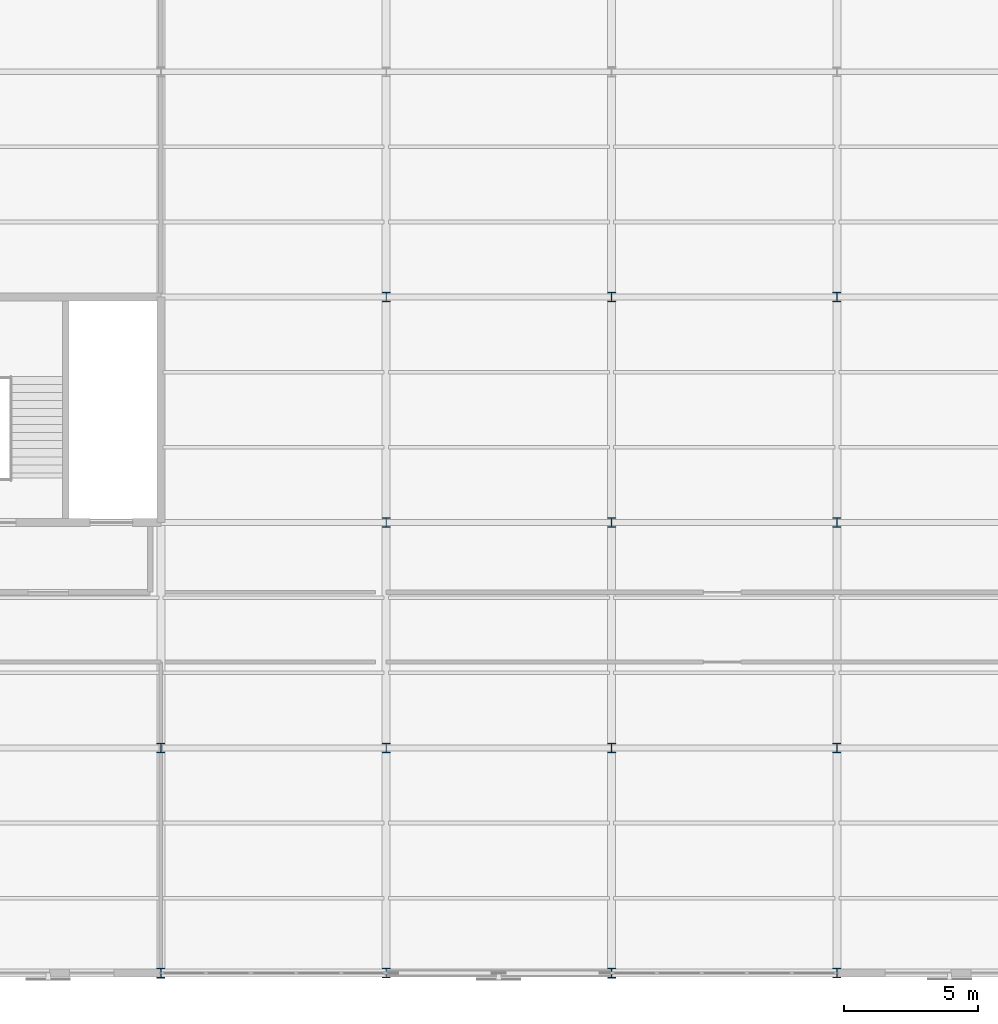
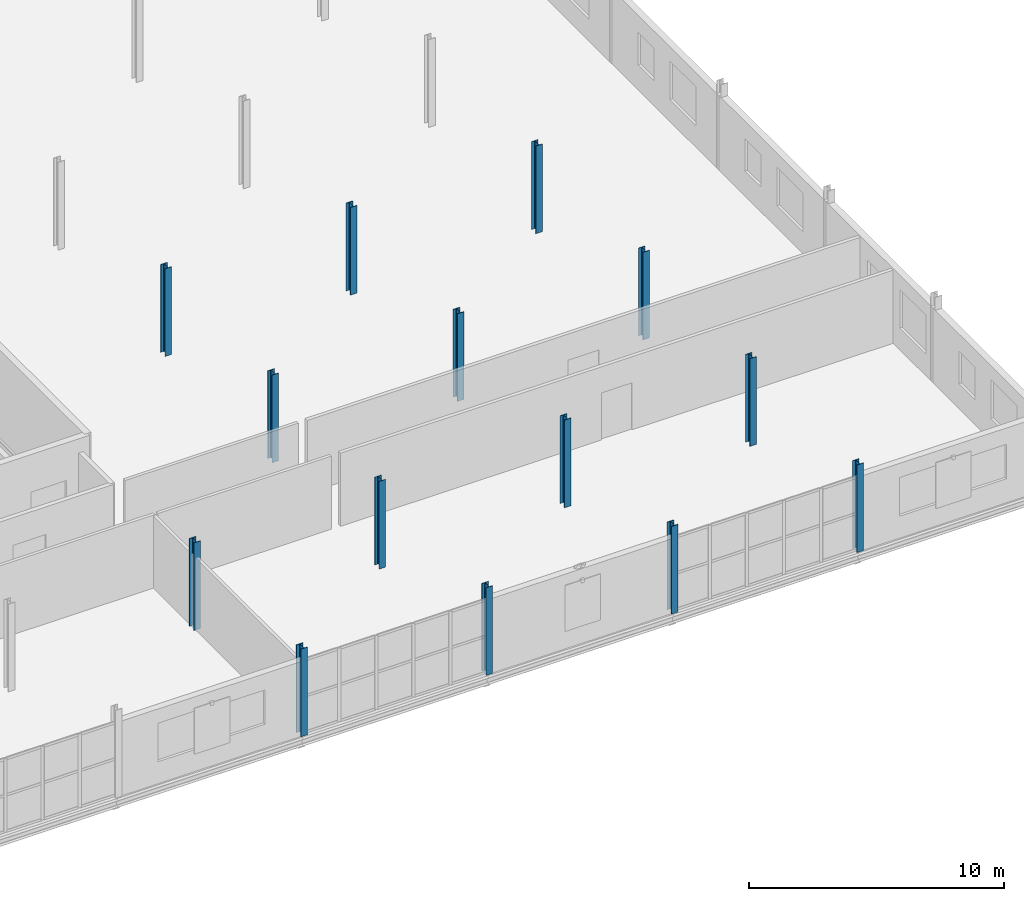
# One storey, part 17 of 163: 14 columns.
"""IFC4 building model written with IfcOpenShell, lengths in metres."""

from ifc_helpers import new_model, si_unit, direction, frame, origin, origin_2d, place, context, subcontext, project, spatial, i_section, extrude, material, material_profile, profile_set, type_object, element, save


model = new_model("IFC4")

# Units and contexts
model_context = context("Model", 3, precision=1e-05, world=origin(), true_north=direction((0.0, 1.0)))
body_context = subcontext(model_context, "Body", "Model", "MODEL_VIEW")
ifc_project = project(units=[si_unit("LENGTHUNIT", "METRE"), si_unit("AREAUNIT", "SQUARE_METRE"), si_unit("VOLUMEUNIT", "CUBIC_METRE"), si_unit("PLANEANGLEUNIT", "RADIAN"), si_unit("MASSUNIT", "GRAM", prefix="KILO")], contexts=[model_context])

# Site, building, storey
site_placement = place(None, origin())
site = spatial("IfcSite", under=ifc_project, at=site_placement, CompositionType="ELEMENT")
building_placement = place(site_placement, origin())
building = spatial("IfcBuilding", under=site, at=building_placement, Name="Qalvenar Corner Mobility Hub", CompositionType="ELEMENT")
storey_placement = place(building_placement, frame((0.0, 0.0, 4.800048828125)))
storey = spatial("IfcBuildingStorey", under=building, at=storey_placement, Name="L01", CompositionType="ELEMENT", Elevation=4.800048828125)

# Columns
ifc_material = material(Name="Steel S355", Category="steel")
ifc_material_profile_1 = material_profile(ifc_material, i_section(OverallWidth=0.300048828125, OverallDepth=0.35009765625, WebThickness=0.010009765625, FlangeThickness=0.017578125, FilletRadius=0.027099609375, at=origin_2d()), Name="HEA360")
ifc_profile_set_1 = profile_set([ifc_material_profile_1], Name="Steel S355")
column_type_1 = type_object("IfcColumnType", Name="COL-HEA360", PredefinedType="COLUMN", material=ifc_profile_set_1)
for number, where, z_axis, x_axis, name in (
    (1, (142.800048828125, 0.0, 0.0), (0.0, 0.0, 1.0), (1.0, 0.0, 0.0), "Steel Column L01-G18-0"),
    (2, (142.800048828125, 8.39990234375, 0.0), (0.0, 0.0, 1.0), (1.0, 0.0, 0.0), "Steel Column L01-G18-1"),
    (3, (142.800048828125, 16.800048828125, 0.0), (0.0, 0.0, 1.0), (1.0, 0.0, 0.0), "Steel Column L01-G18-2"),
    (4, (142.800048828125, 25.199951171875, 0.0), (0.0, 0.0, 1.0), (1.0, 0.0, 0.0), "Steel Column L01-G18-3"),
    (5, (159.60009765625, 0.0, 0.0), (0.0, 0.0, 1.0), (1.0, 0.0, 0.0), "Steel Column L01-G20-0"),
    (6, (159.60009765625, 8.39990234375, 0.0), (0.0, 0.0, 1.0), (1.0, 0.0, 0.0), "Steel Column L01-G20-1"),
    (7, (159.60009765625, 16.800048828125, 0.0), (0.0, 0.0, 1.0), (1.0, 0.0, 0.0), "Steel Column L01-G20-2"),
    (8, (159.60009765625, 25.199951171875, 0.0), (0.0, 0.0, 1.0), (1.0, 0.0, 0.0), "Steel Column L01-G20-3"),
):
    element("IfcColumn", number, at=place(storey_placement, frame(where, z_axis=z_axis, x_axis=x_axis)), inside=storey, type_object=column_type_1, Name=name, PredefinedType="COLUMN", context=body_context, shape_type="SweptSolid", body=[
        extrude(i_section(OverallWidth=0.300048828125, OverallDepth=0.35009765625, WebThickness=0.010009765625, FlangeThickness=0.017578125, FilletRadius=0.027099609375, at=origin_2d()), origin(), (0.0, 0.0, 1.0), 4.199951171875),
    ])
ifc_material_profile_2 = material_profile(ifc_material, i_section(OverallWidth=0.300048828125, OverallDepth=0.360107421875, WebThickness=0.012451171875, FlangeThickness=0.0224609375, FilletRadius=0.027099609375, at=origin_2d()), Name="HEB360")
ifc_profile_set_2 = profile_set([ifc_material_profile_2], Name="Steel S355")
column_type_2 = type_object("IfcColumnType", Name="COL-HEB360", PredefinedType="COLUMN", material=ifc_profile_set_2)
for number, where, z_axis, x_axis, name in (
    (9, (134.39990234375, 0.0, 0.0), (0.0, 0.0, 1.0), (1.0, 0.0, 0.0), "Steel Column L01-G17-0"),
    (10, (134.39990234375, 8.39990234375, 0.0), (0.0, 0.0, 1.0), (1.0, 0.0, 0.0), "Steel Column L01-G17-1"),
    (11, (151.199951171875, 0.0, 0.0), (0.0, 0.0, 1.0), (1.0, 0.0, 0.0), "Steel Column L01-G19-0"),
    (12, (151.199951171875, 8.39990234375, 0.0), (0.0, 0.0, 1.0), (1.0, 0.0, 0.0), "Steel Column L01-G19-1"),
    (13, (151.199951171875, 16.800048828125, 0.0), (0.0, 0.0, 1.0), (1.0, 0.0, 0.0), "Steel Column L01-G19-2"),
    (14, (151.199951171875, 25.199951171875, 0.0), (0.0, 0.0, 1.0), (1.0, 0.0, 0.0), "Steel Column L01-G19-3"),
):
    element("IfcColumn", number, at=place(storey_placement, frame(where, z_axis=z_axis, x_axis=x_axis)), inside=storey, type_object=column_type_2, Name=name, PredefinedType="COLUMN", context=body_context, shape_type="SweptSolid", body=[
        extrude(i_section(OverallWidth=0.300048828125, OverallDepth=0.360107421875, WebThickness=0.012451171875, FlangeThickness=0.0224609375, FilletRadius=0.027099609375, at=origin_2d()), origin(), (0.0, 0.0, 1.0), 4.199951171875),
    ])

save(model, "model.ifc")
